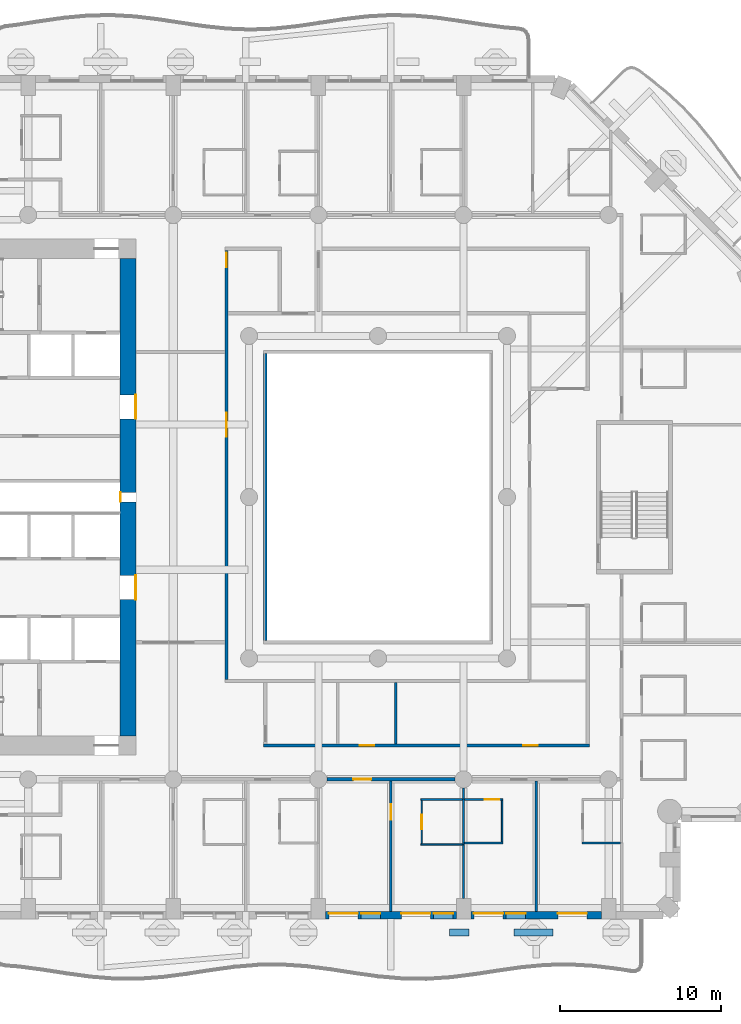
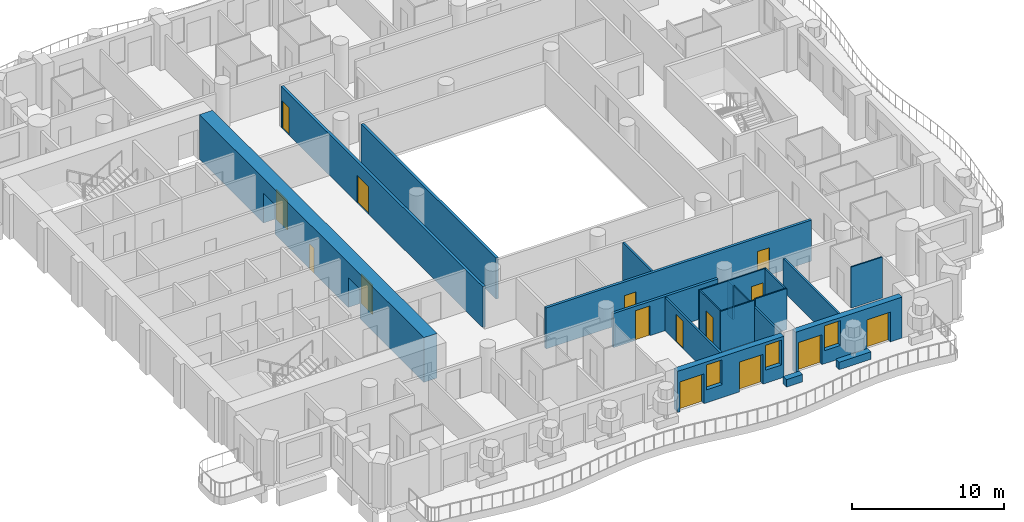
# One storey, part 5 of 20: 21 walls, 15 doors, 3 windows, 18 openings.
"""IFC4 building model written with IfcOpenShell, lengths in metres."""

from ifc_helpers import new_model, si_unit, direction, frame, frame_2d, origin, place, context, subcontext, project, spatial, rectangle, extrude, material, layer, layer_set, type_object, element, fill, save


model = new_model("IFC4")

# Units and contexts
model_context = context("Model", 3, precision=1e-05, world=origin(), true_north=direction((0.0, 1.0)))
body_context = subcontext(model_context, "Body", "Model", "MODEL_VIEW")
ifc_project = project(units=[si_unit("LENGTHUNIT", "METRE"), si_unit("AREAUNIT", "SQUARE_METRE"), si_unit("VOLUMEUNIT", "CUBIC_METRE"), si_unit("PLANEANGLEUNIT", "RADIAN"), si_unit("MASSUNIT", "GRAM", prefix="KILO")], contexts=[model_context])

# Site, building, storey
site_placement = place(None, origin())
site = spatial("IfcSite", under=ifc_project, at=site_placement, CompositionType="ELEMENT")
building_placement = place(site_placement, origin())
building = spatial("IfcBuilding", under=site, at=building_placement, Name="Cypress Arch Tower", CompositionType="ELEMENT")
storey_placement = place(building_placement, frame((0.0, 0.0, 109.5)))
storey = spatial("IfcBuildingStorey", under=building, at=storey_placement, Name="L22", CompositionType="ELEMENT", Elevation=109.5)

# Walls
ifc_material_1 = material(Name="Concrete C40/50, waterproofed", Category="concrete")
ifc_layer_1 = layer(ifc_material_1, 0.449951171875)
ifc_layer_set_1 = layer_set([ifc_layer_1], Name="Balcony planter wall PW450")
wall_type_1 = type_object("IfcWallType", Name="Balcony planter wall PW450", PredefinedType="SOLIDWALL", material=ifc_layer_set_1)
wall_1_placement = place(storey_placement, frame((5.419921875, -27.0, 0.0), z_axis=(0.0, 0.0, 1.0), x_axis=(1.0, 0.0, 0.0)))
element("IfcWall", 1, at=wall_1_placement, inside=storey, type_object=wall_type_1, Name="Balcony planter wall L22-A03.5", PredefinedType="SOLIDWALL", context=body_context, shape_type="SweptSolid", body=[
    extrude(rectangle(XDim=1.22998046875, YDim=0.449951171875, at=frame_2d((0.614990234375, 0.0))), origin(), (0.0, 0.0, 1.0), 0.60009765625),
])
wall_2_placement = place(storey_placement, frame((9.429931640625, -27.0, 0.0), z_axis=(0.0, 0.0, 1.0), x_axis=(1.0, 0.0, 0.0)))
element("IfcWall", 2, at=wall_2_placement, inside=storey, type_object=wall_type_1, Name="Balcony planter wall L22-A03.6", PredefinedType="SOLIDWALL", context=body_context, shape_type="SweptSolid", body=[
    extrude(rectangle(XDim=2.420166015625, YDim=0.449951171875, at=frame_2d((1.2099609375, 0.0))), origin(), (0.0, 0.0, 1.0), 0.60009765625),
])

# Wall, openings, doors, windows
ifc_material_2 = material(Name="Brick (red buff blend)", Category="masonry")
ifc_layer_2 = layer(ifc_material_2, 0.449951171875)
ifc_layer_set_2 = layer_set([ifc_layer_2], Name="Brick pier and spandrel wall BW450")
wall_type_2 = type_object("IfcWallType", Name="Brick pier and spandrel wall BW450", PredefinedType="SOLIDWALL", material=ifc_layer_set_2)
wall_3_placement = place(storey_placement, frame((-2.25, -25.925048828125, 0.0), z_axis=(0.0, 0.0, 1.0), x_axis=(1.0, 0.0, 0.0)))
wall_3 = element("IfcWall", 3, at=wall_3_placement, inside=storey, type_object=wall_type_2, Name="Brick wall L22 A03.3", PredefinedType="SOLIDWALL", context=body_context, shape_type="SweptSolid", body=[
    extrude(rectangle(XDim=8.10009765625, YDim=0.449951171875, at=frame_2d((4.050048828125, 0.0))), origin(), (0.0, 0.0, 1.0), 3.300048828125),
])
opening_1_placement = place(wall_3_placement, frame((0.199951171875, 0.0, 0.0)))
opening_1 = element("IfcOpeningElement", 4, at=opening_1_placement, cuts=wall_3, Name="Opening D-L22-A03.3.1", PredefinedType="OPENING", context=body_context, shape_type="SweptSolid", body=[
    extrude(rectangle(XDim=1.800048828125, YDim=2.39990234375, at=frame_2d((0.89990234375, 1.199951171875))), frame((0.0, 0.23486328125, 0.0), z_axis=(0.0, -1.0, 0.0), x_axis=(1.0, 0.0, 0.0)), (0.0, 0.0, 1.0), 0.469970703125),
])
opening_2_placement = place(wall_3_placement, frame((2.199951171875, 0.0, 1.050048828125)))
opening_2 = element("IfcOpeningElement", 5, at=opening_2_placement, cuts=wall_3, Name="Opening W120HD", PredefinedType="OPENING", context=body_context, shape_type="SweptSolid", body=[
    extrude(rectangle(XDim=1.199951171875, YDim=2.0, at=frame_2d((0.60009765625, 1.0))), frame((0.0, 0.23486328125, 0.0), z_axis=(0.0, -1.0, 0.0), x_axis=(1.0, 0.0, 0.0)), (0.0, 0.0, 1.0), 0.469970703125),
])
opening_3_placement = place(wall_3_placement, frame((4.699951171875, 0.0, 0.0)))
opening_3 = element("IfcOpeningElement", 6, at=opening_3_placement, cuts=wall_3, Name="Opening D-L22-A03.3.2", PredefinedType="OPENING", context=body_context, shape_type="SweptSolid", body=[
    extrude(rectangle(XDim=1.800048828125, YDim=2.39990234375, at=frame_2d((0.89990234375, 1.199951171875))), frame((0.0, 0.23486328125, 0.0), z_axis=(0.0, -1.0, 0.0), x_axis=(1.0, 0.0, 0.0)), (0.0, 0.0, 1.0), 0.469970703125),
])
opening_4_placement = place(wall_3_placement, frame((6.699951171875, 0.0, 1.050048828125)))
opening_4 = element("IfcOpeningElement", 7, at=opening_4_placement, cuts=wall_3, Name="Opening W120HD", PredefinedType="OPENING", context=body_context, shape_type="SweptSolid", body=[
    extrude(rectangle(XDim=1.199951171875, YDim=2.0, at=frame_2d((0.60009765625, 1.0))), frame((0.0, 0.23486328125, 0.0), z_axis=(0.0, -1.0, 0.0), x_axis=(1.0, 0.0, 0.0)), (0.0, 0.0, 1.0), 0.469970703125),
])
ifc_material_3 = material(Name="Anodised aluminium, bronze finish, laminated low-emissivity double glazing, large-missile impact rated", Category="aluminium")
door_type_1 = type_object("IfcDoorType", Name="Balcony sliding door 1800x2400", OperationType="SLIDING_TO_LEFT", PredefinedType="DOOR", material=ifc_material_3)
door_1_placement = place(opening_1_placement, origin())
door_1 = element("IfcDoor", 8, at=door_1_placement, inside=storey, type_object=door_type_1, Name="Balcony door L22 A03.3.1", OperationType="SLIDING_TO_LEFT", OverallHeight=2.39990234375, OverallWidth=1.800048828125, PredefinedType="DOOR", context=body_context, shape_type="SweptSolid", body=[
    extrude(rectangle(XDim=1.800048828125, YDim=2.39990234375, at=frame_2d((0.89990234375, 1.199951171875))), frame((0.0, 0.1298828125, 0.0), z_axis=(0.0, -1.0, 0.0), x_axis=(1.0, 0.0, 0.0)), (0.0, 0.0, 1.0), 0.050048828125),
])
fill(opening_1, door_1)
door_2_placement = place(opening_3_placement, origin())
door_2 = element("IfcDoor", 9, at=door_2_placement, inside=storey, type_object=door_type_1, Name="Balcony door L22 A03.3.2", OperationType="SLIDING_TO_LEFT", OverallHeight=2.39990234375, OverallWidth=1.800048828125, PredefinedType="DOOR", context=body_context, shape_type="SweptSolid", body=[
    extrude(rectangle(XDim=1.800048828125, YDim=2.39990234375, at=frame_2d((0.89990234375, 1.199951171875))), frame((0.0, 0.1298828125, 0.0), z_axis=(0.0, -1.0, 0.0), x_axis=(1.0, 0.0, 0.0)), (0.0, 0.0, 1.0), 0.050048828125),
])
fill(opening_3, door_2)
ifc_material_4 = material(Name="Anodised aluminium, bronze finish, laminated low-emissivity double glazing, large-missile impact rated", Category="aluminium")
window_type = type_object("IfcWindowType", Name="Window Hotel 1200x2000 debris-rated", PartitioningType="SINGLE_PANEL", PredefinedType="WINDOW", material=ifc_material_4)
window_1_placement = place(opening_2_placement, origin())
window_1 = element("IfcWindow", 10, at=window_1_placement, inside=storey, type_object=window_type, Name="Window L22 A03.3.1", OverallHeight=2.0, OverallWidth=1.199951171875, PartitioningType="SINGLE_PANEL", PredefinedType="WINDOW", context=body_context, shape_type="SweptSolid", body=[
    extrude(rectangle(XDim=1.199951171875, YDim=2.0, at=frame_2d((0.60009765625, 1.0))), frame((0.0, 0.135009765625, 0.0), z_axis=(0.0, -1.0, 0.0), x_axis=(1.0, 0.0, 0.0)), (0.0, 0.0, 1.0), 0.06005859375),
])
fill(opening_2, window_1)
window_2_placement = place(opening_4_placement, origin())
window_2 = element("IfcWindow", 11, at=window_2_placement, inside=storey, type_object=window_type, Name="Window L22 A03.3.2", OverallHeight=2.0, OverallWidth=1.199951171875, PartitioningType="SINGLE_PANEL", PredefinedType="WINDOW", context=body_context, shape_type="SweptSolid", body=[
    extrude(rectangle(XDim=1.199951171875, YDim=2.0, at=frame_2d((0.60009765625, 1.0))), frame((0.0, 0.135009765625, 0.0), z_axis=(0.0, -1.0, 0.0), x_axis=(1.0, 0.0, 0.0)), (0.0, 0.0, 1.0), 0.06005859375),
])
fill(opening_4, window_2)

# Wall, openings, doors, window
wall_4_placement = place(storey_placement, frame((6.75, -25.925048828125, 0.0), z_axis=(0.0, 0.0, 1.0), x_axis=(1.0, 0.0, 0.0)))
wall_4 = element("IfcWall", 12, at=wall_4_placement, inside=storey, type_object=wall_type_2, Name="Brick wall L22 A03.4", PredefinedType="SOLIDWALL", context=body_context, shape_type="SweptSolid", body=[
    extrude(rectangle(XDim=8.10009765625, YDim=0.449951171875, at=frame_2d((4.050048828125, 0.0))), origin(), (0.0, 0.0, 1.0), 3.300048828125),
])
opening_5_placement = place(wall_4_placement, frame((0.199951171875, 0.0, 0.0)))
opening_5 = element("IfcOpeningElement", 13, at=opening_5_placement, cuts=wall_4, Name="Opening D-L22-A03.4.1", PredefinedType="OPENING", context=body_context, shape_type="SweptSolid", body=[
    extrude(rectangle(XDim=1.800048828125, YDim=2.39990234375, at=frame_2d((0.89990234375, 1.199951171875))), frame((0.0, 0.23486328125, 0.0), z_axis=(0.0, -1.0, 0.0), x_axis=(1.0, 0.0, 0.0)), (0.0, 0.0, 1.0), 0.469970703125),
])
opening_6_placement = place(wall_4_placement, frame((2.199951171875, 0.0, 1.050048828125)))
opening_6 = element("IfcOpeningElement", 14, at=opening_6_placement, cuts=wall_4, Name="Opening W120HD", PredefinedType="OPENING", context=body_context, shape_type="SweptSolid", body=[
    extrude(rectangle(XDim=1.199951171875, YDim=2.0, at=frame_2d((0.60009765625, 1.0))), frame((0.0, 0.23486328125, 0.0), z_axis=(0.0, -1.0, 0.0), x_axis=(1.0, 0.0, 0.0)), (0.0, 0.0, 1.0), 0.469970703125),
])
opening_7_placement = place(wall_4_placement, frame((5.39990234375, 0.0, 0.0)))
opening_7 = element("IfcOpeningElement", 15, at=opening_7_placement, cuts=wall_4, Name="Opening D-L22-A03.4.2", PredefinedType="OPENING", context=body_context, shape_type="SweptSolid", body=[
    extrude(rectangle(XDim=1.800048828125, YDim=2.39990234375, at=frame_2d((0.89990234375, 1.199951171875))), frame((0.0, 0.23486328125, 0.0), z_axis=(0.0, -1.0, 0.0), x_axis=(1.0, 0.0, 0.0)), (0.0, 0.0, 1.0), 0.469970703125),
])
door_3_placement = place(opening_5_placement, origin())
door_3 = element("IfcDoor", 16, at=door_3_placement, inside=storey, type_object=door_type_1, Name="Balcony door L22 A03.4.1", OperationType="SLIDING_TO_LEFT", OverallHeight=2.39990234375, OverallWidth=1.800048828125, PredefinedType="DOOR", context=body_context, shape_type="SweptSolid", body=[
    extrude(rectangle(XDim=1.800048828125, YDim=2.39990234375, at=frame_2d((0.89990234375, 1.199951171875))), frame((0.0, 0.1298828125, 0.0), z_axis=(0.0, -1.0, 0.0), x_axis=(1.0, 0.0, 0.0)), (0.0, 0.0, 1.0), 0.050048828125),
])
fill(opening_5, door_3)
door_4_placement = place(opening_7_placement, origin())
door_4 = element("IfcDoor", 17, at=door_4_placement, inside=storey, type_object=door_type_1, Name="Balcony door L22 A03.4.2", OperationType="SLIDING_TO_LEFT", OverallHeight=2.39990234375, OverallWidth=1.800048828125, PredefinedType="DOOR", context=body_context, shape_type="SweptSolid", body=[
    extrude(rectangle(XDim=1.800048828125, YDim=2.39990234375, at=frame_2d((0.89990234375, 1.199951171875))), frame((0.0, 0.1298828125, 0.0), z_axis=(0.0, -1.0, 0.0), x_axis=(1.0, 0.0, 0.0)), (0.0, 0.0, 1.0), 0.050048828125),
])
fill(opening_7, door_4)
window_3_placement = place(opening_6_placement, origin())
window_3 = element("IfcWindow", 18, at=window_3_placement, inside=storey, type_object=window_type, Name="Window L22 A03.4.1", OverallHeight=2.0, OverallWidth=1.199951171875, PartitioningType="SINGLE_PANEL", PredefinedType="WINDOW", context=body_context, shape_type="SweptSolid", body=[
    extrude(rectangle(XDim=1.199951171875, YDim=2.0, at=frame_2d((0.60009765625, 1.0))), frame((0.0, 0.135009765625, 0.0), z_axis=(0.0, -1.0, 0.0), x_axis=(1.0, 0.0, 0.0)), (0.0, 0.0, 1.0), 0.06005859375),
])
fill(opening_6, window_3)

# Wall, openings, doors
ifc_material_5 = material(Name="Concrete C80/95", Category="concrete")
ifc_layer_3 = layer(ifc_material_5, 1.0)
ifc_layer_set_3 = layer_set([ifc_layer_3], Name="Core wall CW1000 C80/95")
wall_type_3 = type_object("IfcWallType", Name="Core wall CW1000 C80/95", PredefinedType="SHEAR", material=ifc_layer_set_3)
wall_5_placement = place(storey_placement, frame((-14.5, -14.800048828125, 0.0), z_axis=(0.0, 0.0, 1.0), x_axis=(0.0, 1.0, 0.0)))
wall_5 = element("IfcWall", 19, at=wall_5_placement, inside=storey, type_object=wall_type_3, Name="Core wall", PredefinedType="SHEAR", context=body_context, shape_type="SweptSolid", body=[
    extrude(rectangle(XDim=29.60009765625, YDim=1.0, at=frame_2d((14.800048828125, 0.0))), origin(), (0.0, 0.0, 1.0), 3.60009765625),
])
opening_8_placement = place(wall_5_placement, frame((8.449951171875, 0.0, 0.0)))
opening_8 = element("IfcOpeningElement", 20, at=opening_8_placement, cuts=wall_5, Name="Opening D07", PredefinedType="OPENING", context=body_context, shape_type="SweptSolid", body=[
    extrude(rectangle(XDim=1.5, YDim=2.39990234375, at=frame_2d((0.75, 1.199951171875))), frame((0.0, 0.510009765625, 0.0), z_axis=(0.0, -1.0, 0.0), x_axis=(1.0, 0.0, 0.0)), (0.0, 0.0, 1.0), 1.02001953125),
])
opening_9_placement = place(wall_5_placement, frame((19.64990234375, 0.0, 0.0)))
opening_9 = element("IfcOpeningElement", 21, at=opening_9_placement, cuts=wall_5, Name="Opening D07", PredefinedType="OPENING", context=body_context, shape_type="SweptSolid", body=[
    extrude(rectangle(XDim=1.5, YDim=2.39990234375, at=frame_2d((0.75, 1.199951171875))), frame((0.0, 0.510009765625, 0.0), z_axis=(0.0, -1.0, 0.0), x_axis=(1.0, 0.0, 0.0)), (0.0, 0.0, 1.0), 1.02001953125),
])
opening_10_placement = place(wall_5_placement, frame((14.5, 0.0, 0.0)))
opening_10 = element("IfcOpeningElement", 22, at=opening_10_placement, cuts=wall_5, Name="Opening D08", PredefinedType="OPENING", context=body_context, shape_type="SweptSolid", body=[
    extrude(rectangle(XDim=0.60009765625, YDim=2.0, at=frame_2d((0.300048828125, 1.0))), frame((0.0, 0.510009765625, 0.0), z_axis=(0.0, -1.0, 0.0), x_axis=(1.0, 0.0, 0.0)), (0.0, 0.0, 1.0), 1.02001953125),
])
ifc_material_6 = material(Name="Steel framed glazed door, fire resisting", Category="steel")
door_type_2 = type_object("IfcDoorType", Name="Lobby door D07 1500x2400", OperationType="DOUBLE_DOOR_SINGLE_SWING", PredefinedType="DOOR", material=ifc_material_6)
door_5_placement = place(opening_8_placement, origin())
door_5 = element("IfcDoor", 23, at=door_5_placement, inside=storey, type_object=door_type_2, Name="Lobby door", OperationType="DOUBLE_DOOR_SINGLE_SWING", OverallHeight=2.39990234375, OverallWidth=1.5, PredefinedType="DOOR", context=body_context, shape_type="SweptSolid", body=[
    extrude(rectangle(XDim=1.5, YDim=2.39990234375, at=frame_2d((0.75, 1.199951171875))), frame((0.0, -0.44482421875, 0.0), z_axis=(0.0, -1.0, 0.0), x_axis=(1.0, 0.0, 0.0)), (0.0, 0.0, 1.0), 0.050048828125),
])
fill(opening_8, door_5)
door_6_placement = place(opening_9_placement, origin())
door_6 = element("IfcDoor", 24, at=door_6_placement, inside=storey, type_object=door_type_2, Name="Lobby door", OperationType="DOUBLE_DOOR_SINGLE_SWING", OverallHeight=2.39990234375, OverallWidth=1.5, PredefinedType="DOOR", context=body_context, shape_type="SweptSolid", body=[
    extrude(rectangle(XDim=1.5, YDim=2.39990234375, at=frame_2d((0.75, 1.199951171875))), frame((0.0, -0.44482421875, 0.0), z_axis=(0.0, -1.0, 0.0), x_axis=(1.0, 0.0, 0.0)), (0.0, 0.0, 1.0), 0.050048828125),
])
fill(opening_9, door_6)
ifc_material_7 = material(Name="Steel access door, fire resisting", Category="steel")
door_type_3 = type_object("IfcDoorType", Name="Riser access door D08 600x2000", OperationType="SINGLE_SWING_LEFT", PredefinedType="DOOR", material=ifc_material_7)
door_7_placement = place(opening_10_placement, origin())
door_7 = element("IfcDoor", 25, at=door_7_placement, inside=storey, type_object=door_type_3, Name="Riser access door", OperationType="SINGLE_SWING_RIGHT", OverallHeight=2.0, OverallWidth=0.60009765625, PredefinedType="DOOR", context=body_context, shape_type="SweptSolid", body=[
    extrude(rectangle(XDim=0.60009765625, YDim=2.0, at=frame_2d((0.300048828125, 1.0))), frame((0.0, 0.4951171875, 0.0), z_axis=(0.0, -1.0, 0.0), x_axis=(1.0, 0.0, 0.0)), (0.0, 0.0, 1.0), 0.050048828125),
])
fill(opening_10, door_7)

# Wall, opening, door
ifc_material_8 = material(Name="Concrete blockwork, plastered, rated", Category="masonry")
ifc_layer_4 = layer(ifc_material_8, 0.199951171875)
ifc_layer_set_4 = layer_set([ifc_layer_4], Name="Corridor wall FW200")
wall_type_4 = type_object("IfcWallType", Name="Corridor wall FW200", PredefinedType="PARTITIONING", material=ifc_layer_set_4)
wall_6_placement = place(storey_placement, frame((-2.175048828125, -17.5, 0.0), z_axis=(0.0, 0.0, 1.0), x_axis=(1.0, 0.0, 0.0)))
wall_6 = element("IfcWall", 26, at=wall_6_placement, inside=storey, type_object=wall_type_4, Name="Corridor wall", PredefinedType="PARTITIONING", context=body_context, shape_type="SweptSolid", body=[
    extrude(rectangle(XDim=7.949951171875, YDim=0.199951171875, at=frame_2d((3.97509765625, 0.0))), origin(), (0.0, 0.0, 1.0), 2.75),
])
opening_11_placement = place(wall_6_placement, frame((1.64990234375, 0.0, 0.0)))
opening_11 = element("IfcOpeningElement", 27, at=opening_11_placement, cuts=wall_6, Name="Opening D01", PredefinedType="OPENING", context=body_context, shape_type="SweptSolid", body=[
    extrude(rectangle(XDim=1.10009765625, YDim=2.39990234375, at=frame_2d((0.550048828125, 1.199951171875))), frame((0.0, 0.10986328125, 0.0), z_axis=(0.0, -1.0, 0.0), x_axis=(1.0, 0.0, 0.0)), (0.0, 0.0, 1.0), 0.219970703125),
])
ifc_material_9 = material(Name="Timber flush door, fire resisting, self-closing", Category="wood")
door_type_4 = type_object("IfcDoorType", Name="Unit entrance door D01 1100x2400", OperationType="SINGLE_SWING_LEFT", PredefinedType="DOOR", material=ifc_material_9)
door_8_placement = place(opening_11_placement, origin())
door_8 = element("IfcDoor", 28, at=door_8_placement, inside=storey, type_object=door_type_4, Name="Unit entrance door", OperationType="SINGLE_SWING_LEFT", OverallHeight=2.39990234375, OverallWidth=1.10009765625, PredefinedType="DOOR", context=body_context, shape_type="SweptSolid", body=[
    extrude(rectangle(XDim=1.10009765625, YDim=2.39990234375, at=frame_2d((0.550048828125, 1.199951171875))), frame((0.0, 0.02490234375, 0.0), z_axis=(0.0, -1.0, 0.0), x_axis=(1.0, 0.0, 0.0)), (0.0, 0.0, 1.0), 0.050048828125),
])
fill(opening_11, door_8)

# Wall, openings, doors
wall_7_placement = place(storey_placement, frame((-8.39990234375, -11.300048828125, 0.0), z_axis=(0.0, 0.0, 1.0), x_axis=(0.0, 1.0, 0.0)))
wall_7 = element("IfcWall", 29, at=wall_7_placement, inside=storey, type_object=wall_type_4, Name="Corridor wall", PredefinedType="PARTITIONING", context=body_context, shape_type="SweptSolid", body=[
    extrude(rectangle(XDim=26.60009765625, YDim=0.199951171875, at=frame_2d((13.300048828125, 0.0))), origin(), (0.0, 0.0, 1.0), 3.300048828125),
])
opening_12_placement = place(wall_7_placement, frame((15.050048828125, 0.0, 0.0)))
opening_12 = element("IfcOpeningElement", 30, at=opening_12_placement, cuts=wall_7, Name="Opening D04", PredefinedType="OPENING", context=body_context, shape_type="SweptSolid", body=[
    extrude(rectangle(XDim=1.5, YDim=2.199951171875, at=frame_2d((0.75, 1.10009765625))), frame((0.0, 0.10986328125, 0.0), z_axis=(0.0, -1.0, 0.0), x_axis=(1.0, 0.0, 0.0)), (0.0, 0.0, 1.0), 0.219970703125),
])
opening_13_placement = place(wall_7_placement, frame((25.550048828125, 0.0, 0.0)))
opening_13 = element("IfcOpeningElement", 31, at=opening_13_placement, cuts=wall_7, Name="Opening D05", PredefinedType="OPENING", context=body_context, shape_type="SweptSolid", body=[
    extrude(rectangle(XDim=0.89990234375, YDim=2.199951171875, at=frame_2d((0.449951171875, 1.10009765625))), frame((0.0, 0.10986328125, 0.0), z_axis=(0.0, -1.0, 0.0), x_axis=(1.0, 0.0, 0.0)), (0.0, 0.0, 1.0), 0.219970703125),
])
ifc_material_10 = material(Name="Timber double door", Category="wood")
door_type_5 = type_object("IfcDoorType", Name="Double door D04 1500x2200", OperationType="DOUBLE_DOOR_SINGLE_SWING", PredefinedType="DOOR", material=ifc_material_10)
door_9_placement = place(opening_12_placement, origin())
door_9 = element("IfcDoor", 32, at=door_9_placement, inside=storey, type_object=door_type_5, Name="Double door", OperationType="DOUBLE_DOOR_SINGLE_SWING", OverallHeight=2.199951171875, OverallWidth=1.5, PredefinedType="DOOR", context=body_context, shape_type="SweptSolid", body=[
    extrude(rectangle(XDim=1.5, YDim=2.199951171875, at=frame_2d((0.75, 1.10009765625))), frame((0.0, 0.02490234375, 0.0), z_axis=(0.0, -1.0, 0.0), x_axis=(1.0, 0.0, 0.0)), (0.0, 0.0, 1.0), 0.050048828125),
])
fill(opening_12, door_9)
ifc_material_11 = material(Name="Timber flush door", Category="wood")
door_type_6 = type_object("IfcDoorType", Name="Service door D05 900x2200", OperationType="SINGLE_SWING_LEFT", PredefinedType="DOOR", material=ifc_material_11)
door_10_placement = place(opening_13_placement, origin())
door_10 = element("IfcDoor", 33, at=door_10_placement, inside=storey, type_object=door_type_6, Name="Service door", OperationType="SINGLE_SWING_LEFT", OverallHeight=2.199951171875, OverallWidth=0.89990234375, PredefinedType="DOOR", context=body_context, shape_type="SweptSolid", body=[
    extrude(rectangle(XDim=0.89990234375, YDim=2.199951171875, at=frame_2d((0.449951171875, 1.10009765625))), frame((0.0, 0.02490234375, 0.0), z_axis=(0.0, -1.0, 0.0), x_axis=(1.0, 0.0, 0.0)), (0.0, 0.0, 1.0), 0.050048828125),
])
fill(opening_13, door_10)

wall_8_placement = place(storey_placement, frame((-6.10009765625, -15.39990234375, 0.0), z_axis=(0.0, 0.0, 1.0), x_axis=(1.0, 0.0, 0.0)))
wall_8 = element("IfcWall", 34, at=wall_8_placement, inside=storey, type_object=wall_type_4, Name="Corridor wall", PredefinedType="PARTITIONING", context=body_context, shape_type="SweptSolid", body=[
    extrude(rectangle(XDim=20.2001953125, YDim=0.199951171875, at=frame_2d((10.10009765625, 0.0))), origin(), (0.0, 0.0, 1.0), 3.300048828125),
])
opening_14_placement = place(wall_8_placement, frame((5.949951171875, 0.0, 0.0)))
opening_14 = element("IfcOpeningElement", 35, at=opening_14_placement, cuts=wall_8, Name="Opening D05", PredefinedType="OPENING", context=body_context, shape_type="SweptSolid", body=[
    extrude(rectangle(XDim=0.89990234375, YDim=2.199951171875, at=frame_2d((0.449951171875, 1.10009765625))), frame((0.0, 0.10986328125, 0.0), z_axis=(0.0, -1.0, 0.0), x_axis=(1.0, 0.0, 0.0)), (0.0, 0.0, 1.0), 0.219970703125),
])
opening_15_placement = place(wall_8_placement, frame((16.10009765625, 0.0, 0.0)))
opening_15 = element("IfcOpeningElement", 36, at=opening_15_placement, cuts=wall_8, Name="Opening D05", PredefinedType="OPENING", context=body_context, shape_type="SweptSolid", body=[
    extrude(rectangle(XDim=0.89990234375, YDim=2.199951171875, at=frame_2d((0.449951171875, 1.10009765625))), frame((0.0, 0.10986328125, 0.0), z_axis=(0.0, -1.0, 0.0), x_axis=(1.0, 0.0, 0.0)), (0.0, 0.0, 1.0), 0.219970703125),
])
door_11_placement = place(opening_14_placement, origin())
door_11 = element("IfcDoor", 37, at=door_11_placement, inside=storey, type_object=door_type_6, Name="Service door", OperationType="SINGLE_SWING_LEFT", OverallHeight=2.199951171875, OverallWidth=0.89990234375, PredefinedType="DOOR", context=body_context, shape_type="SweptSolid", body=[
    extrude(rectangle(XDim=0.89990234375, YDim=2.199951171875, at=frame_2d((0.449951171875, 1.10009765625))), frame((0.0, 0.02490234375, 0.0), z_axis=(0.0, -1.0, 0.0), x_axis=(1.0, 0.0, 0.0)), (0.0, 0.0, 1.0), 0.050048828125),
])
fill(opening_14, door_11)
door_12_placement = place(opening_15_placement, origin())
door_12 = element("IfcDoor", 38, at=door_12_placement, inside=storey, type_object=door_type_6, Name="Service door", OperationType="SINGLE_SWING_RIGHT", OverallHeight=2.199951171875, OverallWidth=0.89990234375, PredefinedType="DOOR", context=body_context, shape_type="SweptSolid", body=[
    extrude(rectangle(XDim=0.89990234375, YDim=2.199951171875, at=frame_2d((0.449951171875, 1.10009765625))), frame((0.0, 0.02490234375, 0.0), z_axis=(0.0, -1.0, 0.0), x_axis=(1.0, 0.0, 0.0)), (0.0, 0.0, 1.0), 0.050048828125),
])
fill(opening_15, door_12)

# Wall
wall_9_placement = place(storey_placement, frame((-6.0, -8.89990234375, 0.0), z_axis=(0.0, 0.0, 1.0), x_axis=(0.0, 1.0, 0.0)))
element("IfcWall", 39, at=wall_9_placement, inside=storey, type_object=wall_type_4, Name="Corridor wall", PredefinedType="PARTITIONING", context=body_context, shape_type="SweptSolid", body=[
    extrude(rectangle(XDim=17.7998046875, YDim=0.199951171875, at=frame_2d((8.89990234375, 0.0))), origin(), (0.0, 0.0, 1.0), 3.300048828125),
])

# Wall, opening, door
ifc_material_12 = material(Name="Blockwork, plastered both sides", Category="masonry")
ifc_layer_5 = layer(ifc_material_12, 0.14990234375)
ifc_layer_set_5 = layer_set([ifc_layer_5], Name="Partition PW150")
wall_type_5 = type_object("IfcWallType", Name="Partition PW150", PredefinedType="PARTITIONING", material=ifc_layer_set_5)
wall_10_placement = place(storey_placement, frame((1.800048828125, -25.699951171875, 0.0), z_axis=(0.0, 0.0, 1.0), x_axis=(0.0, 1.0, 0.0)))
wall_10 = element("IfcWall", 40, at=wall_10_placement, inside=storey, type_object=wall_type_5, Name="Partition", PredefinedType="PARTITIONING", context=body_context, shape_type="SweptSolid", body=[
    extrude(rectangle(XDim=8.099853515625, YDim=0.14990234375, at=frame_2d((4.0498046875, 0.0))), origin(), (0.0, 0.0, 1.0), 2.64990234375),
])
opening_16_placement = place(wall_10_placement, frame((5.699951171875, 0.0, 0.0)))
opening_16 = element("IfcOpeningElement", 41, at=opening_16_placement, cuts=wall_10, Name="Opening D12", PredefinedType="OPENING", context=body_context, shape_type="SweptSolid", body=[
    extrude(rectangle(XDim=0.949951171875, YDim=2.199951171875, at=frame_2d((0.47509765625, 1.10009765625))), frame((0.0, 0.0849609375, 0.0), z_axis=(0.0, -1.0, 0.0), x_axis=(1.0, 0.0, 0.0)), (0.0, 0.0, 1.0), 0.169921875),
])
ifc_material_13 = material(Name="Timber flush door", Category="wood")
door_type_7 = type_object("IfcDoorType", Name="Room door D12 950x2200", OperationType="SINGLE_SWING_LEFT", PredefinedType="DOOR", material=ifc_material_13)
door_13_placement = place(opening_16_placement, origin())
door_13 = element("IfcDoor", 42, at=door_13_placement, inside=storey, type_object=door_type_7, Name="Room door", OperationType="SINGLE_SWING_RIGHT", OverallHeight=2.199951171875, OverallWidth=0.949951171875, PredefinedType="DOOR", context=body_context, shape_type="SweptSolid", body=[
    extrude(rectangle(XDim=0.949951171875, YDim=2.199951171875, at=frame_2d((0.47509765625, 1.10009765625))), frame((0.0, 0.02490234375, 0.0), z_axis=(0.0, -1.0, 0.0), x_axis=(1.0, 0.0, 0.0)), (0.0, 0.0, 1.0), 0.050048828125),
])
fill(opening_16, door_13)

# Walls
wall_11_placement = place(storey_placement, frame((2.10009765625, -15.300048828125, 0.0), z_axis=(0.0, 0.0, 1.0), x_axis=(0.0, 1.0, 0.0)))
element("IfcWall", 43, at=wall_11_placement, inside=storey, type_object=wall_type_5, Name="Partition", PredefinedType="PARTITIONING", context=body_context, shape_type="SweptSolid", body=[
    extrude(rectangle(XDim=3.800048828125, YDim=0.14990234375, at=frame_2d((1.89990234375, 0.0))), origin(), (0.0, 0.0, 1.0), 3.300048828125),
])
wall_12_placement = place(storey_placement, frame((6.300048828125, -24.89990234375, 0.0), z_axis=(0.0, 0.0, 1.0), x_axis=(0.0, 1.0, 0.0)))
element("IfcWall", 44, at=wall_12_placement, inside=storey, type_object=wall_type_5, Name="Partition", PredefinedType="PARTITIONING", context=body_context, shape_type="SweptSolid", body=[
    extrude(rectangle(XDim=3.349853515625, YDim=0.14990234375, at=frame_2d((1.6748046875, 0.0))), origin(), (0.0, 0.0, 1.0), 2.75),
])
wall_13_placement = place(storey_placement, frame((6.300048828125, -18.72998046875, 0.0), z_axis=(0.0, 0.0, 1.0), x_axis=(0.0, 1.0, 0.0)))
element("IfcWall", 45, at=wall_13_placement, inside=storey, type_object=wall_type_5, Name="Partition", PredefinedType="PARTITIONING", context=body_context, shape_type="SweptSolid", body=[
    extrude(rectangle(XDim=0.705078125, YDim=0.14990234375, at=frame_2d((0.3525390625, 0.0))), origin(), (0.0, 0.0, 1.0), 2.75),
])
wall_14_placement = place(storey_placement, frame((10.800048828125, -25.699951171875, 0.0), z_axis=(0.0, 0.0, 1.0), x_axis=(0.0, 1.0, 0.0)))
element("IfcWall", 46, at=wall_14_placement, inside=storey, type_object=wall_type_5, Name="Partition", PredefinedType="PARTITIONING", context=body_context, shape_type="SweptSolid", body=[
    extrude(rectangle(XDim=8.099853515625, YDim=0.14990234375, at=frame_2d((4.0498046875, 0.0))), origin(), (0.0, 0.0, 1.0), 2.64990234375),
])

# Wall, opening, door
ifc_material_14 = material(Name="Moisture resistant board on steel studs, tiled", Category="steel")
ifc_layer_6 = layer(ifc_material_14, 0.10009765625)
ifc_layer_set_6 = layer_set([ifc_layer_6], Name="Wet wall PW100")
wall_type_6 = type_object("IfcWallType", Name="Wet wall PW100", PredefinedType="PARTITIONING", material=ifc_layer_set_6)
wall_15_placement = place(storey_placement, frame((3.7041015625, -21.5, 0.0), z_axis=(0.0, 0.0, 1.0), x_axis=(0.0, 1.0, 0.0)))
wall_15 = element("IfcWall", 47, at=wall_15_placement, inside=storey, type_object=wall_type_6, Name="Wet wall", PredefinedType="PARTITIONING", context=body_context, shape_type="SweptSolid", body=[
    extrude(rectangle(XDim=2.699951171875, YDim=0.10009765625, at=frame_2d((1.35009765625, 0.0))), origin(), (0.0, 0.0, 1.0), 3.300048828125),
])
opening_17_placement = place(wall_15_placement, frame((0.89990234375, 0.0, 0.0)))
opening_17 = element("IfcOpeningElement", 48, at=opening_17_placement, cuts=wall_15, Name="Opening D03", PredefinedType="OPENING", context=body_context, shape_type="SweptSolid", body=[
    extrude(rectangle(XDim=0.89990234375, YDim=2.199951171875, at=frame_2d((0.449951171875, 1.10009765625))), frame((0.0, 0.06005859375, 0.0), z_axis=(0.0, -1.0, 0.0), x_axis=(1.0, 0.0, 0.0)), (0.0, 0.0, 1.0), 0.1201171875),
])
ifc_material_15 = material(Name="Timber flush door, moisture resistant", Category="wood")
door_type_8 = type_object("IfcDoorType", Name="Bathroom door D03 900x2200", OperationType="SINGLE_SWING_LEFT", PredefinedType="DOOR", material=ifc_material_15)
door_14_placement = place(opening_17_placement, origin())
door_14 = element("IfcDoor", 49, at=door_14_placement, inside=storey, type_object=door_type_8, Name="Bathroom door", OperationType="SINGLE_SWING_LEFT", OverallHeight=2.199951171875, OverallWidth=0.89990234375, PredefinedType="DOOR", context=body_context, shape_type="SweptSolid", body=[
    extrude(rectangle(XDim=0.89990234375, YDim=2.199951171875, at=frame_2d((0.449951171875, 1.10009765625))), frame((0.0, 0.02490234375, 0.0), z_axis=(0.0, -1.0, 0.0), x_axis=(1.0, 0.0, 0.0)), (0.0, 0.0, 1.0), 0.050048828125),
])
fill(opening_17, door_14)

# Wall
wall_16_placement = place(storey_placement, frame((3.654052734375, -21.550048828125, 0.0), z_axis=(0.0, 0.0, 1.0), x_axis=(1.0, 0.0, 0.0)))
element("IfcWall", 50, at=wall_16_placement, inside=storey, type_object=wall_type_6, Name="Wet wall", PredefinedType="PARTITIONING", context=body_context, shape_type="SweptSolid", body=[
    extrude(rectangle(XDim=2.571044921875, YDim=0.10009765625, at=frame_2d((1.28564453125, 0.0))), origin(), (0.0, 0.0, 1.0), 3.300048828125),
])

# Wall, opening, door
wall_17_placement = place(storey_placement, frame((3.654052734375, -18.75, 0.0), z_axis=(0.0, 0.0, 1.0), x_axis=(1.0, 0.0, 0.0)))
wall_17 = element("IfcWall", 51, at=wall_17_placement, inside=storey, type_object=wall_type_6, Name="Wet wall", PredefinedType="PARTITIONING", context=body_context, shape_type="SweptSolid", body=[
    extrude(rectangle(XDim=5.092041015625, YDim=0.10009765625, at=frame_2d((2.5458984375, 0.0))), origin(), (0.0, 0.0, 1.0), 3.300048828125),
])
opening_18_placement = place(wall_17_placement, frame((3.949951171875, 0.0, 0.0)))
opening_18 = element("IfcOpeningElement", 52, at=opening_18_placement, cuts=wall_17, Name="Opening D03", PredefinedType="OPENING", context=body_context, shape_type="SweptSolid", body=[
    extrude(rectangle(XDim=0.89990234375, YDim=2.199951171875, at=frame_2d((0.449951171875, 1.10009765625))), frame((0.0, 0.06005859375, 0.0), z_axis=(0.0, -1.0, 0.0), x_axis=(1.0, 0.0, 0.0)), (0.0, 0.0, 1.0), 0.1201171875),
])
door_15_placement = place(opening_18_placement, origin())
door_15 = element("IfcDoor", 53, at=door_15_placement, inside=storey, type_object=door_type_8, Name="Bathroom door", OperationType="SINGLE_SWING_LEFT", OverallHeight=2.199951171875, OverallWidth=0.89990234375, PredefinedType="DOOR", context=body_context, shape_type="SweptSolid", body=[
    extrude(rectangle(XDim=0.89990234375, YDim=2.199951171875, at=frame_2d((0.449951171875, 1.10009765625))), frame((0.0, 0.02490234375, 0.0), z_axis=(0.0, -1.0, 0.0), x_axis=(1.0, 0.0, 0.0)), (0.0, 0.0, 1.0), 0.050048828125),
])
fill(opening_18, door_15)

# Walls
wall_18_placement = place(storey_placement, frame((6.300048828125, -21.550048828125, 0.0), z_axis=(0.0, 0.0, 1.0), x_axis=(0.0, 1.0, 0.0)))
element("IfcWall", 54, at=wall_18_placement, inside=storey, type_object=wall_type_6, Name="Wet wall", PredefinedType="PARTITIONING", context=body_context, shape_type="SweptSolid", body=[
    extrude(rectangle(XDim=2.820068359375, YDim=0.10009765625, at=frame_2d((1.41015625, 0.0))), origin(), (0.0, 0.0, 1.0), 2.75),
])
wall_19_placement = place(storey_placement, frame((6.35009765625, -21.449951171875, 0.0), z_axis=(0.0, 0.0, 1.0), x_axis=(1.0, 0.0, 0.0)))
element("IfcWall", 55, at=wall_19_placement, inside=storey, type_object=wall_type_6, Name="Wet wall", PredefinedType="PARTITIONING", context=body_context, shape_type="SweptSolid", body=[
    extrude(rectangle(XDim=2.39599609375, YDim=0.10009765625, at=frame_2d((1.197998046875, 0.0))), origin(), (0.0, 0.0, 1.0), 3.300048828125),
])
wall_20_placement = place(storey_placement, frame((8.696044921875, -21.39990234375, 0.0), z_axis=(0.0, 0.0, 1.0), x_axis=(0.0, 1.0, 0.0)))
element("IfcWall", 56, at=wall_20_placement, inside=storey, type_object=wall_type_6, Name="Wet wall", PredefinedType="PARTITIONING", context=body_context, shape_type="SweptSolid", body=[
    extrude(rectangle(XDim=2.599853515625, YDim=0.10009765625, at=frame_2d((1.2998046875, 0.0))), origin(), (0.0, 0.0, 1.0), 3.300048828125),
])
wall_21_placement = place(storey_placement, frame((13.64990234375, -21.449951171875, 0.0), z_axis=(0.0, 0.0, 1.0), x_axis=(1.0, 0.0, 0.0)))
element("IfcWall", 57, at=wall_21_placement, inside=storey, type_object=wall_type_6, Name="Wet wall", PredefinedType="PARTITIONING", context=body_context, shape_type="SweptSolid", body=[
    extrude(rectangle(XDim=2.375, YDim=0.10009765625, at=frame_2d((1.1875, 0.0))), origin(), (0.0, 0.0, 1.0), 3.300048828125),
])

save(model, "model.ifc")
